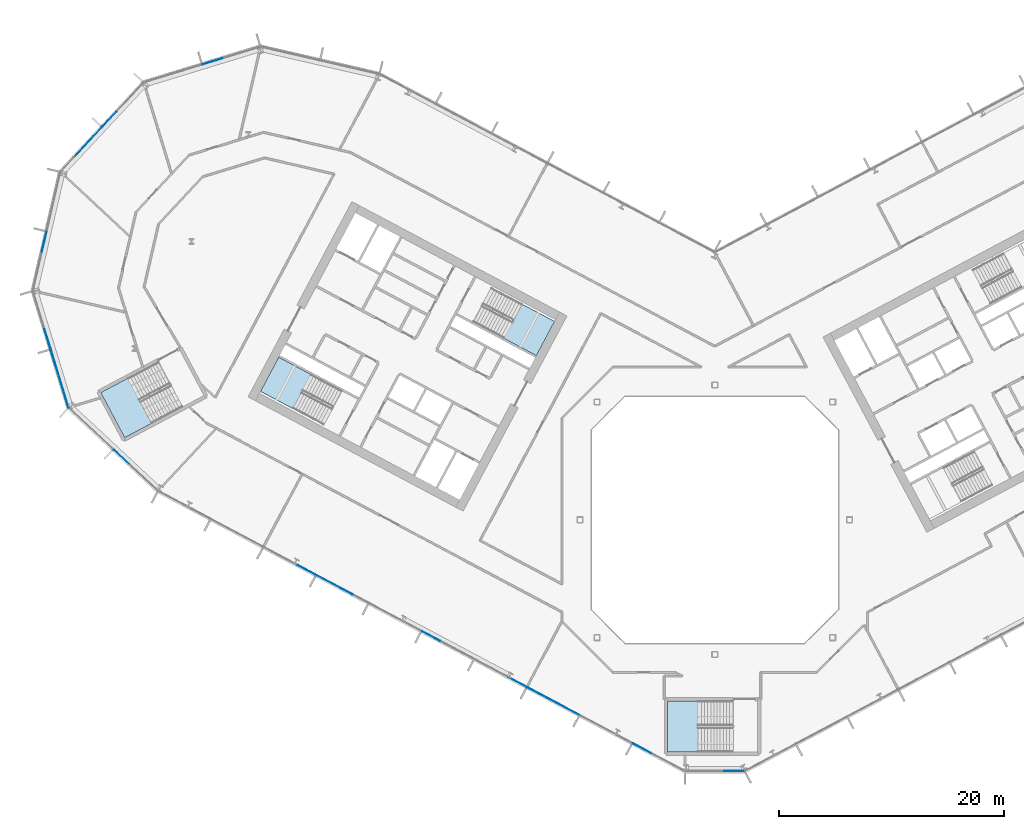
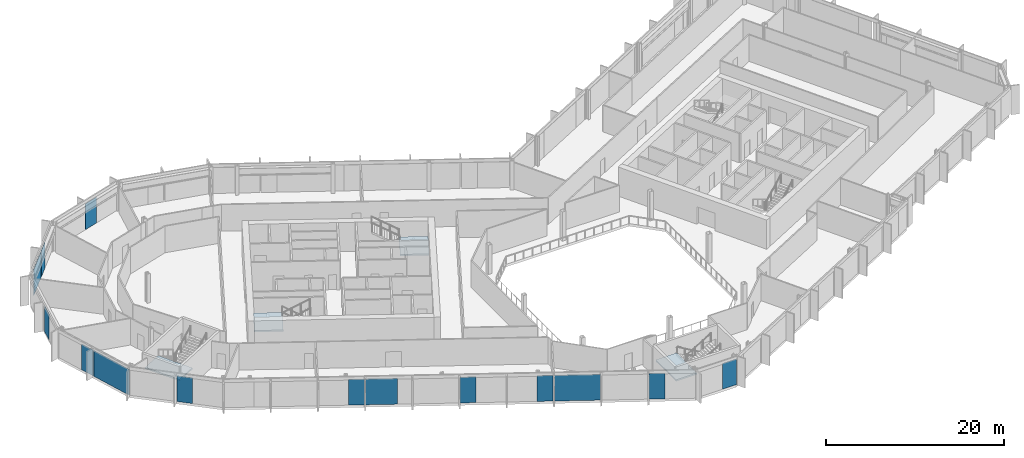
# One storey, part 11 of 28: 14 plates, 4 slabs, 11 elements without a shape of their own.
"""IFC4 building model written with IfcOpenShell, lengths in metres."""

import ifcopenshell
import ifcopenshell.guid

model = None  # the IFC model being written
_history = None  # IfcOwnerHistory: only IFC2X3 demands one
_inside = {}  # id of a spatial element -> (the spatial element, [elements in it])
_under = {}  # id of a project, library or spatial element -> (it, [spatial elements below it])
_declared = {}  # id of a project -> (the project, [libraries it declares])
_typed = {}  # id of a type object -> (the type object, [elements of that type])
_made_of = {}  # id of a material, layer set ... -> (it, [elements and type objects made of it])


def new_model(schema):
    """Start an empty IFC model of exactly this schema.

    Asked for "IFC4X3", IfcOpenShell would pick the latest addendum, in which some entities
    have other attributes; the version numbers below select the first issue.
    IFC2X3 requires an IfcOwnerHistory on every rooted entity: one is made here for all.
    """
    global model, _history
    if schema == "IFC4X3":
        model = ifcopenshell.file(schema_version=(4, 3, 0, 0))
    else:
        model = ifcopenshell.file(schema=schema)
    _inside.clear()
    _under.clear()
    _declared.clear()
    _typed.clear()
    _made_of.clear()
    _history = None
    if model.schema == "IFC2X3":
        org = make("IfcOrganization", Name="unknown")
        user = make(
            "IfcPersonAndOrganization",
            ThePerson=make("IfcPerson", FamilyName="unknown"),
            TheOrganization=org,
        )
        app = make(
            "IfcApplication",
            ApplicationDeveloper=org,
            Version="unknown",
            ApplicationFullName="unknown",
            ApplicationIdentifier="unknown",
        )
        _history = make(
            "IfcOwnerHistory",
            OwningUser=user,
            OwningApplication=app,
            ChangeAction="ADDED",
            CreationDate=0,
        )
    return model


def make(cls, **values):
    """One entity of the class cls with the attributes given. An attribute that is None is left unset."""
    return model.create_entity(
        cls, **{name: value for name, value in values.items() if value is not None}
    )


def rooted(cls, **values):
    """An entity with a GlobalId (a new one), such as an element, a storey or a relation."""
    return make(cls, GlobalId=ifcopenshell.guid.new(), OwnerHistory=_history, **values)


def si_unit(unit_type, name, prefix=None):
    """IfcSIUnit, for example si_unit("LENGTHUNIT", "METRE", prefix="MILLI")."""
    return make("IfcSIUnit", UnitType=unit_type, Prefix=prefix, Name=name)


def assignment(units):
    """IfcUnitAssignment: the units of a project."""
    return None if units is None else make("IfcUnitAssignment", Units=units)


def point(xyz):
    """IfcCartesianPoint."""
    return None if xyz is None else make("IfcCartesianPoint", Coordinates=xyz)


def direction(xyz):
    """IfcDirection."""
    return None if xyz is None else make("IfcDirection", DirectionRatios=xyz)


def frame(location, z_axis=None, x_axis=None):
    """IfcAxis2Placement3D, a coordinate frame: its origin and axes. An axis left out is left unset."""
    return make(
        "IfcAxis2Placement3D",
        Location=point(location),
        Axis=direction(z_axis),
        RefDirection=direction(x_axis),
    )


def frame_2d(location, x_axis=None):
    """IfcAxis2Placement2D, a coordinate frame in the plane: its origin and x axis."""
    return make(
        "IfcAxis2Placement2D", Location=point(location), RefDirection=direction(x_axis)
    )


def origin():
    """The frame at (0, 0, 0) with its axes left unset."""
    return frame((0.0, 0.0, 0.0))


def origin_2d():
    """The frame at (0, 0) in the plane with its x axis left unset."""
    return frame_2d((0.0, 0.0))


def place(relative_to, where):
    """IfcLocalPlacement: puts the frame where relative to a parent placement (None: the world)."""
    return make(
        "IfcLocalPlacement", PlacementRelTo=relative_to, RelativePlacement=where
    )


def context(
    kind, dimensions, precision=None, world=None, true_north=None, identifier=None
):
    """IfcGeometricRepresentationContext, for example the 3D "Model" context."""
    return make(
        "IfcGeometricRepresentationContext",
        ContextIdentifier=identifier,
        ContextType=kind,
        CoordinateSpaceDimension=dimensions,
        Precision=precision,
        WorldCoordinateSystem=world,
        TrueNorth=true_north,
    )


def subcontext(parent, identifier, kind, view, scale=None):
    """IfcGeometricRepresentationSubContext, for example "Body" below "Model"."""
    return make(
        "IfcGeometricRepresentationSubContext",
        ContextIdentifier=identifier,
        ContextType=kind,
        ParentContext=parent,
        TargetScale=scale,
        TargetView=view,
    )


def project(units=None, contexts=None):
    """IfcProject with its units and contexts."""
    return rooted(
        "IfcProject",
        Name="project",
        RepresentationContexts=contexts,
        UnitsInContext=assignment(units),
    )


def spatial(cls, under=None, at=None, **own):
    """A site, building, storey or space (cls), placed at a placement, below another one or the project."""
    s = rooted(cls, ObjectPlacement=at, **own)
    if under is not None:
        _under.setdefault(under.id(), (under, []))[1].append(s)
    return s


def polyline(points):
    """IfcPolyline through the points."""
    return make("IfcPolyline", Points=[point(p) for p in points])


def profile(cls, at=None, kind="AREA", **sizes):
    """A parametric profile (cls). Its sizes go by their IFC names, for example OverallWidth=200.0."""
    return make(cls, ProfileType=kind, Position=at, **sizes)


def rectangle(**sizes):
    """IfcRectangleProfileDef."""
    return profile("IfcRectangleProfileDef", **sizes)


def outline(outer, holes=None, kind="AREA"):
    """IfcArbitraryClosedProfileDef: a profile drawn as a closed curve; with holes, ...WithVoids."""
    if holes is None:
        return make("IfcArbitraryClosedProfileDef", ProfileType=kind, OuterCurve=outer)
    return make(
        "IfcArbitraryProfileDefWithVoids",
        ProfileType=kind,
        OuterCurve=outer,
        InnerCurves=holes,
    )


def extrude(swept, where, along, depth):
    """IfcExtrudedAreaSolid: the profile swept, set in the frame where, extruded along a direction by depth."""
    return make(
        "IfcExtrudedAreaSolid",
        SweptArea=swept,
        Position=where,
        ExtrudedDirection=direction(along),
        Depth=depth,
    )


def shape(context_of_items, identifier, shape_type, items):
    """IfcShapeRepresentation: the items that make up one representation, for example the "Body"."""
    return make(
        "IfcShapeRepresentation",
        ContextOfItems=context_of_items,
        RepresentationIdentifier=identifier,
        RepresentationType=shape_type,
        Items=items,
    )


def material(Name=None, Category=None):
    """IfcMaterial."""
    return make("IfcMaterial", Name=Name, Category=Category)


def layer(
    of_material, thickness, ventilated=None, Name=None, Category=None, Priority=None
):
    """IfcMaterialLayer: one layer of a wall or slab, of a material (None: an air gap)."""
    return make(
        "IfcMaterialLayer",
        Material=of_material,
        LayerThickness=thickness,
        IsVentilated=ventilated,
        Name=Name,
        Category=Category,
        Priority=Priority,
    )


def layer_set(layers, Name=None):
    """IfcMaterialLayerSet."""
    return make("IfcMaterialLayerSet", MaterialLayers=layers, LayerSetName=Name)


def made_of(thing, what):
    """Note that an element or type object is made of a material, layer set ...; save() writes the relation."""
    if what is not None:
        _made_of.setdefault(what.id(), (what, []))[1].append(thing)
    return thing


def type_object(cls, material=None, **own):
    """A type object (cls), such as IfcWallType, which elements share."""
    return made_of(rooted(cls, **own), material)


def element(
    cls,
    number,
    at=None,
    inside=None,
    cuts=None,
    type_object=None,
    material=None,
    context=None,
    identifier="Body",
    shape_type=None,
    held_by="IfcProductDefinitionShape",
    body=None,
    shapes=None,
    **own,
):
    """One element of the class cls, such as IfcWall. Its Tag is "e" and its number.

    at: its placement. inside: the storey or other place that contains it. cuts: it is an
    opening in that element (IfcRelVoidsElement). A single representation is given by context,
    identifier, shape_type and body (its items); several are given by shapes. held_by: the class
    of the entity that holds the representations. save() writes the other relations.
    """
    e = rooted(cls, Tag="e%d" % number, ObjectPlacement=at, **own)
    if body is not None:
        shapes = [shape(context, identifier, shape_type, body)]
    if shapes is not None:
        e.Representation = make(held_by, Representations=shapes)
    if inside is not None:
        _inside.setdefault(inside.id(), (inside, []))[1].append(e)
    if cuts is not None:
        rooted(
            "IfcRelVoidsElement", RelatingBuildingElement=cuts, RelatedOpeningElement=e
        )
    if type_object is not None:
        _typed.setdefault(type_object.id(), (type_object, []))[1].append(e)
    return made_of(e, material)


def aggregate(whole, parts):
    """IfcRelAggregates: a whole, such as a stair, and the parts it consists of."""
    return rooted("IfcRelAggregates", RelatingObject=whole, RelatedObjects=parts)


def save(model, path):
    """Write the relations noted so far, then the file.

    IfcRelAggregates (storeys below a building ...), IfcRelContainedInSpatialStructure (elements
    in a storey), IfcRelDefinesByType, IfcRelAssociatesMaterial and IfcRelDeclares: one each for
    every whole, place, type object, material and project.
    """
    for whole, parts in _under.values():
        aggregate(whole, parts)
    for where, things in _inside.values():
        rooted(
            "IfcRelContainedInSpatialStructure",
            RelatedElements=things,
            RelatingStructure=where,
        )
    for kind, things in _typed.values():
        rooted("IfcRelDefinesByType", RelatedObjects=things, RelatingType=kind)
    for what, things in _made_of.values():
        rooted("IfcRelAssociatesMaterial", RelatedObjects=things, RelatingMaterial=what)
    for by, libraries in _declared.values():
        rooted("IfcRelDeclares", RelatingContext=by, RelatedDefinitions=libraries)
    model.write(path)


model = new_model("IFC4")

# Units and contexts
model_context = context("Model", 3, precision=1e-05, world=origin(), true_north=direction((0.0, 1.0)))
body_context = subcontext(model_context, "Body", "Model", "MODEL_VIEW")
ifc_project = project(units=[si_unit("LENGTHUNIT", "METRE"), si_unit("AREAUNIT", "SQUARE_METRE"), si_unit("VOLUMEUNIT", "CUBIC_METRE"), si_unit("PLANEANGLEUNIT", "RADIAN"), si_unit("MASSUNIT", "GRAM", prefix="KILO")], contexts=[model_context])

# Site, building, storey
site_placement = place(None, origin())
site = spatial("IfcSite", under=ifc_project, at=site_placement, CompositionType="ELEMENT")
building_placement = place(site_placement, origin())
building = spatial("IfcBuilding", under=site, at=building_placement, Name="Cormorant Relay Tower", CompositionType="ELEMENT")
storey_placement = place(building_placement, frame((0.0, 0.0, 142.199951171875)))
storey = spatial("IfcBuildingStorey", under=building, at=storey_placement, Name="L29", CompositionType="ELEMENT", Elevation=142.199951171875)

# Curtain wall, plate
ifc_material_1 = material(Name="Aluminium 6063-T6 anodised bronze", Category="aluminium")
ifc_layer_1 = layer(ifc_material_1, 0.199951171875)
ifc_layer_set_1 = layer_set([ifc_layer_1], Name="CW1 unitised bronze curtain wall with vertical fins")
curtain_wall_type = type_object("IfcCurtainWallType", Name="CW1 unitised bronze curtain wall with vertical fins", PredefinedType="NOTDEFINED", material=ifc_layer_set_1)
curtain_wall_1_placement = place(storey_placement, origin())
curtain_wall_1 = element("IfcCurtainWall", 1, at=curtain_wall_1_placement, inside=storey, type_object=curtain_wall_type, Name="CW1 curtain wall 1", PredefinedType="NOTDEFINED")
ifc_material_2 = material(Name="Tinted laminated glass", Category="glass")
ifc_layer_2 = layer(ifc_material_2, 0.0400390625)
ifc_layer_set_2 = layer_set([ifc_layer_2], Name="CW1 tinted vision panel 1800 module")
plate_type_1 = type_object("IfcPlateType", Name="CW1 tinted vision panel 1800 module", PredefinedType="CURTAIN_PANEL", material=ifc_layer_set_2)
plate_1_placement = place(storey_placement, frame((1.748779296875, -22.3955078125, 0.0), z_axis=(0.0, 0.0, 1.0), x_axis=(1.0, 0.0, 0.0)))
plate_1 = element("IfcPlate", 2, at=plate_1_placement, type_object=plate_type_1, Name="CW1 panel V01", PredefinedType="CURTAIN_PANEL", context=body_context, shape_type="SweptSolid", body=[
    extrude(rectangle(XDim=1.800048828125, YDim=0.0400390625, at=origin_2d()), origin(), (0.0, 0.0, 1.0), 3.550048828125),
])
aggregate(curtain_wall_1, [plate_1])

curtain_wall_2_placement = place(storey_placement, origin())
curtain_wall_2 = element("IfcCurtainWall", 3, at=curtain_wall_2_placement, inside=storey, type_object=curtain_wall_type, Name="CW1 curtain wall 11", PredefinedType="NOTDEFINED")
plate_2_placement = place(storey_placement, frame((-44.73681640625, 40.82861328125, 0.0), z_axis=(0.0, 0.0, 1.0), x_axis=(-0.956304755963, -0.292371704723, 0.0)))
plate_2 = element("IfcPlate", 4, at=plate_2_placement, type_object=plate_type_1, Name="CW1 panel V01", PredefinedType="CURTAIN_PANEL", context=body_context, shape_type="SweptSolid", body=[
    extrude(rectangle(XDim=1.800048828125, YDim=0.0400390625, at=origin_2d()), origin(), (0.0, 0.0, 1.0), 3.550048828125),
])
aggregate(curtain_wall_2, [plate_2])

curtain_wall_3_placement = place(storey_placement, origin())
curtain_wall_3 = element("IfcCurtainWall", 5, at=curtain_wall_3_placement, inside=storey, type_object=curtain_wall_type, Name="CW1 curtain wall 12", PredefinedType="NOTDEFINED")
plate_3_placement = place(storey_placement, frame((-53.91748046875, 35.68701171875, 0.0), z_axis=(0.0, 0.0, 1.0), x_axis=(-0.681998360062, -0.731353701619, 0.0)))
plate_3 = element("IfcPlate", 6, at=plate_3_placement, type_object=plate_type_1, Name="CW1 panel V01", PredefinedType="CURTAIN_PANEL", context=body_context, shape_type="SweptSolid", body=[
    extrude(rectangle(XDim=1.800048828125, YDim=0.0400390625, at=origin_2d()), origin(), (0.0, 0.0, 1.0), 3.550048828125),
])

curtain_wall_4_placement = place(storey_placement, origin())
curtain_wall_4 = element("IfcCurtainWall", 7, at=curtain_wall_4_placement, inside=storey, type_object=curtain_wall_type, Name="CW1 curtain wall 13", PredefinedType="NOTDEFINED")
plate_4_placement = place(storey_placement, frame((-59.736083984375, 24.74365234375, 0.0), z_axis=(0.0, 0.0, 1.0), x_axis=(-0.224951054344, -0.974370064785, 0.0)))
plate_4 = element("IfcPlate", 8, at=plate_4_placement, type_object=plate_type_1, Name="CW1 panel V01", PredefinedType="CURTAIN_PANEL", context=body_context, shape_type="SweptSolid", body=[
    extrude(rectangle(XDim=1.800048828125, YDim=0.0400390625, at=origin_2d()), origin(), (0.0, 0.0, 1.0), 3.550048828125),
])
aggregate(curtain_wall_4, [plate_4])

curtain_wall_5_placement = place(storey_placement, origin())
curtain_wall_5 = element("IfcCurtainWall", 9, at=curtain_wall_5_placement, inside=storey, type_object=curtain_wall_type, Name="CW1 curtain wall 14", PredefinedType="NOTDEFINED")
plate_5_placement = place(storey_placement, frame((-59.434814453125, 16.122314453125, 0.0), z_axis=(0.0, 0.0, 1.0), x_axis=(0.292371704723, -0.956304755963, 0.0)))
plate_5 = element("IfcPlate", 10, at=plate_5_placement, type_object=plate_type_1, Name="CW1 panel V01", PredefinedType="CURTAIN_PANEL", context=body_context, shape_type="SweptSolid", body=[
    extrude(rectangle(XDim=1.800048828125, YDim=0.0400390625, at=origin_2d()), origin(), (0.0, 0.0, 1.0), 3.550048828125),
])

curtain_wall_6_placement = place(storey_placement, origin())
curtain_wall_6 = element("IfcCurtainWall", 11, at=curtain_wall_6_placement, inside=storey, type_object=curtain_wall_type, Name="CW1 curtain wall 15", PredefinedType="NOTDEFINED")
plate_6_placement = place(storey_placement, frame((-52.8671875, 5.611572265625, 0.0), z_axis=(0.0, 0.0, 1.0), x_axis=(0.731353701619, -0.681998360062, 0.0)))
plate_6 = element("IfcPlate", 12, at=plate_6_placement, type_object=plate_type_1, Name="CW1 panel V01", PredefinedType="CURTAIN_PANEL", context=body_context, shape_type="SweptSolid", body=[
    extrude(rectangle(XDim=1.800048828125, YDim=0.0400390625, at=origin_2d()), origin(), (0.0, 0.0, 1.0), 3.550048828125),
])
aggregate(curtain_wall_6, [plate_6])

# Curtain wall, plates
curtain_wall_7_placement = place(storey_placement, origin())
curtain_wall_7 = element("IfcCurtainWall", 13, at=curtain_wall_7_placement, inside=storey, type_object=curtain_wall_type, Name="CW1 curtain wall 16", PredefinedType="NOTDEFINED")
plate_7_placement = place(storey_placement, frame((-36.37890625, -4.463623046875, 0.0), z_axis=(0.0, 0.0, 1.0), x_axis=(0.882947592859, -0.469471562786, 0.0)))
plate_7 = element("IfcPlate", 14, at=plate_7_placement, type_object=plate_type_1, Name="CW1 panel V03", PredefinedType="CURTAIN_PANEL", context=body_context, shape_type="SweptSolid", body=[
    extrude(rectangle(XDim=1.800048828125, YDim=0.0400390625, at=origin_2d()), origin(), (0.0, 0.0, 1.0), 3.550048828125),
])
plate_8_placement = place(storey_placement, frame((-25.268798828125, -10.37109375, 0.0), z_axis=(0.0, 0.0, 1.0), x_axis=(0.882947592859, -0.469471562786, 0.0)))
plate_8 = element("IfcPlate", 15, at=plate_8_placement, type_object=plate_type_1, Name="CW1 panel V06", PredefinedType="CURTAIN_PANEL", context=body_context, shape_type="SweptSolid", body=[
    extrude(rectangle(XDim=1.800048828125, YDim=0.0400390625, at=origin_2d()), origin(), (0.0, 0.0, 1.0), 3.550048828125),
])
plate_9_placement = place(storey_placement, frame((-17.601806640625, -14.447509765625, 0.0), z_axis=(0.0, 0.0, 1.0), x_axis=(0.882947592859, -0.469471562786, 0.0)))
plate_9 = element("IfcPlate", 16, at=plate_9_placement, type_object=plate_type_1, Name="CW1 panel V08", PredefinedType="CURTAIN_PANEL", context=body_context, shape_type="SweptSolid", body=[
    extrude(rectangle(XDim=1.800048828125, YDim=0.0400390625, at=origin_2d()), origin(), (0.0, 0.0, 1.0), 3.550048828125),
])
plate_10_placement = place(storey_placement, frame((-6.49169921875, -20.35498046875, 0.0), z_axis=(0.0, 0.0, 1.0), x_axis=(0.882947592859, -0.469471562786, 0.0)))
plate_10 = element("IfcPlate", 17, at=plate_10_placement, type_object=plate_type_1, Name="CW1 panel V11", PredefinedType="CURTAIN_PANEL", context=body_context, shape_type="SweptSolid", body=[
    extrude(rectangle(XDim=1.800048828125, YDim=0.0400390625, at=origin_2d()), origin(), (0.0, 0.0, 1.0), 3.550048828125),
])

# Plate
ifc_material_3 = material(Name="Tinted laminated glass", Category="glass")
ifc_layer_3 = layer(ifc_material_3, 0.0400390625)
ifc_layer_set_3 = layer_set([ifc_layer_3], Name="CW1 tinted vision panel 3600 module")
plate_type_2 = type_object("IfcPlateType", Name="CW1 tinted vision panel 3600 module", PredefinedType="CURTAIN_PANEL", material=ifc_layer_set_3)
plate_11_placement = place(storey_placement, frame((-55.861083984375, 33.6025390625, 0.0), z_axis=(0.0, 0.0, 1.0), x_axis=(-0.681998360062, -0.731353701619, 0.0)))
plate_11 = element("IfcPlate", 18, at=plate_11_placement, type_object=plate_type_2, Name="CW1 panel V02", PredefinedType="CURTAIN_PANEL", context=body_context, shape_type="SweptSolid", body=[
    extrude(rectangle(XDim=3.60009765625, YDim=0.0400390625, at=origin_2d()), origin(), (0.0, 0.0, 1.0), 3.550048828125),
])

aggregate(curtain_wall_3, [plate_3, plate_11])

plate_12_placement = place(storey_placement, frame((-33.862548828125, -5.801513671875, 0.0), z_axis=(0.0, 0.0, 1.0), x_axis=(0.882947592859, -0.469471562786, 0.0)))
plate_12 = element("IfcPlate", 19, at=plate_12_placement, type_object=plate_type_2, Name="CW1 panel V04", PredefinedType="CURTAIN_PANEL", context=body_context, shape_type="SweptSolid", body=[
    extrude(rectangle(XDim=3.60009765625, YDim=0.0400390625, at=origin_2d()), origin(), (0.0, 0.0, 1.0), 3.550048828125),
])

ifc_material_4 = material(Name="Tinted laminated glass", Category="glass")
ifc_layer_4 = layer(ifc_material_4, 0.0400390625)
ifc_layer_set_4 = layer_set([ifc_layer_4], Name="CW1 tinted vision panel 5400 module")
plate_type_3 = type_object("IfcPlateType", Name="CW1 tinted vision panel 5400 module", PredefinedType="CURTAIN_PANEL", material=ifc_layer_set_4)
plate_13_placement = place(storey_placement, frame((-58.344482421875, 12.55517578125, 0.0), z_axis=(0.0, 0.0, 1.0), x_axis=(0.292371704723, -0.956304755963, 0.0)))
plate_13 = element("IfcPlate", 20, at=plate_13_placement, type_object=plate_type_3, Name="CW1 panel V02", PredefinedType="CURTAIN_PANEL", context=body_context, shape_type="SweptSolid", body=[
    extrude(rectangle(XDim=5.360107421875, YDim=0.0400390625, at=origin_2d()), origin(), (0.0, 0.0, 1.0), 3.550048828125),
])

aggregate(curtain_wall_5, [plate_5, plate_13])

plate_14_placement = place(storey_placement, frame((-14.393798828125, -16.1533203125, 0.0), z_axis=(0.0, 0.0, 1.0), x_axis=(0.882947592859, -0.469471562786, 0.0)))
plate_14 = element("IfcPlate", 21, at=plate_14_placement, type_object=plate_type_3, Name="CW1 panel V09", PredefinedType="CURTAIN_PANEL", context=body_context, shape_type="SweptSolid", body=[
    extrude(rectangle(XDim=5.16650390625, YDim=0.0400390625, at=origin_2d()), origin(), (0.0, 0.0, 1.0), 3.550048828125),
])

aggregate(curtain_wall_7, [plate_7, plate_12, plate_8, plate_9, plate_14, plate_10])

# Stair, slab
ifc_material_5 = material(Name="Concrete 40 MPa", Category="concrete")
stair_type_1 = type_object("IfcStairType", Name="Exit stair 1500", PredefinedType="HALF_TURN_STAIR", material=ifc_material_5)
stair_1_placement = place(storey_placement, origin())
stair_1 = element("IfcStair", 22, at=stair_1_placement, inside=storey, type_object=stair_type_1, Name="L29 Stair", PredefinedType="HALF_TURN_STAIR")
ifc_material_6 = material(Name="Concrete 40 MPa", Category="concrete")
ifc_layer_5 = layer(ifc_material_6, 0.199951171875)
ifc_layer_set_5 = layer_set([ifc_layer_5], Name="Exit stair landing 200")
slab_type = type_object("IfcSlabType", Name="Exit stair landing 200", PredefinedType="LANDING", material=ifc_layer_set_5)
slab_1_placement = place(storey_placement, frame((0.0, 0.0, 1.800048828125)))
slab_1 = element("IfcSlab", 23, at=slab_1_placement, type_object=slab_type, Name="A1 landing 1", PredefinedType="LANDING", context=body_context, shape_type="SweptSolid", body=[
    extrude(outline(polyline([(-18.7822265625, 16.1591796875), (-15.89501953125, 14.6240234375), (-14.275390625, 17.670166015625), (-17.16259765625, 19.205322265625), (-18.7822265625, 16.1591796875)])), origin(), (0.0, 0.0, 1.0), 0.199951171875),
])
aggregate(stair_1, [slab_1])

stair_2_placement = place(storey_placement, origin())
stair_2 = element("IfcStair", 24, at=stair_2_placement, inside=storey, type_object=stair_type_1, Name="L29 Stair", PredefinedType="HALF_TURN_STAIR")
slab_2_placement = place(storey_placement, frame((0.0, 0.0, 1.800048828125)))
slab_2 = element("IfcSlab", 25, at=slab_2_placement, type_object=slab_type, Name="A2 landing 1", PredefinedType="LANDING", context=body_context, shape_type="SweptSolid", body=[
    extrude(outline(polyline([(-35.96044921875, 12.947998046875), (-38.84765625, 14.483154296875), (-40.467529296875, 11.43701171875), (-37.580322265625, 9.90185546875), (-35.96044921875, 12.947998046875)])), origin(), (0.0, 0.0, 1.0), 0.199951171875),
])
aggregate(stair_2, [slab_2])

ifc_material_7 = material(Name="Concrete 40 MPa", Category="concrete")
stair_type_2 = type_object("IfcStairType", Name="Remote exit stair 2200", PredefinedType="HALF_TURN_STAIR", material=ifc_material_7)
stair_3_placement = place(storey_placement, origin())
stair_3 = element("IfcStair", 26, at=stair_3_placement, inside=storey, type_object=stair_type_2, Name="L29 Stair", PredefinedType="HALF_TURN_STAIR")
slab_3_placement = place(storey_placement, frame((0.0, 0.0, 1.800048828125)))
slab_3 = element("IfcSlab", 27, at=slab_3_placement, type_object=slab_type, Name="RK1 landing 1", PredefinedType="LANDING", context=body_context, shape_type="SweptSolid", body=[
    extrude(outline(polyline([(-1.47998046875, -16.125), (-4.199951171875, -16.125), (-4.199951171875, -20.675048828125), (-1.47998046875, -20.675048828125), (-1.47998046875, -16.125)])), origin(), (0.0, 0.0, 1.0), 0.199951171875),
])
aggregate(stair_3, [slab_3])

stair_4_placement = place(storey_placement, origin())
stair_4 = element("IfcStair", 28, at=stair_4_placement, inside=storey, type_object=stair_type_2, Name="L29 Stair", PredefinedType="HALF_TURN_STAIR")
slab_4_placement = place(storey_placement, frame((0.0, 0.0, 1.800048828125)))
slab_4 = element("IfcSlab", 29, at=slab_4_placement, type_object=slab_type, Name="RP1 landing 1", PredefinedType="LANDING", context=body_context, shape_type="SweptSolid", body=[
    extrude(outline(polyline([(-52.29833984375, 12.607666015625), (-54.699951171875, 11.330810546875), (-52.563720703125, 7.3134765625), (-50.162109375, 8.59033203125), (-52.29833984375, 12.607666015625)])), origin(), (0.0, 0.0, 1.0), 0.199951171875),
])
aggregate(stair_4, [slab_4])

save(model, "model.ifc")
